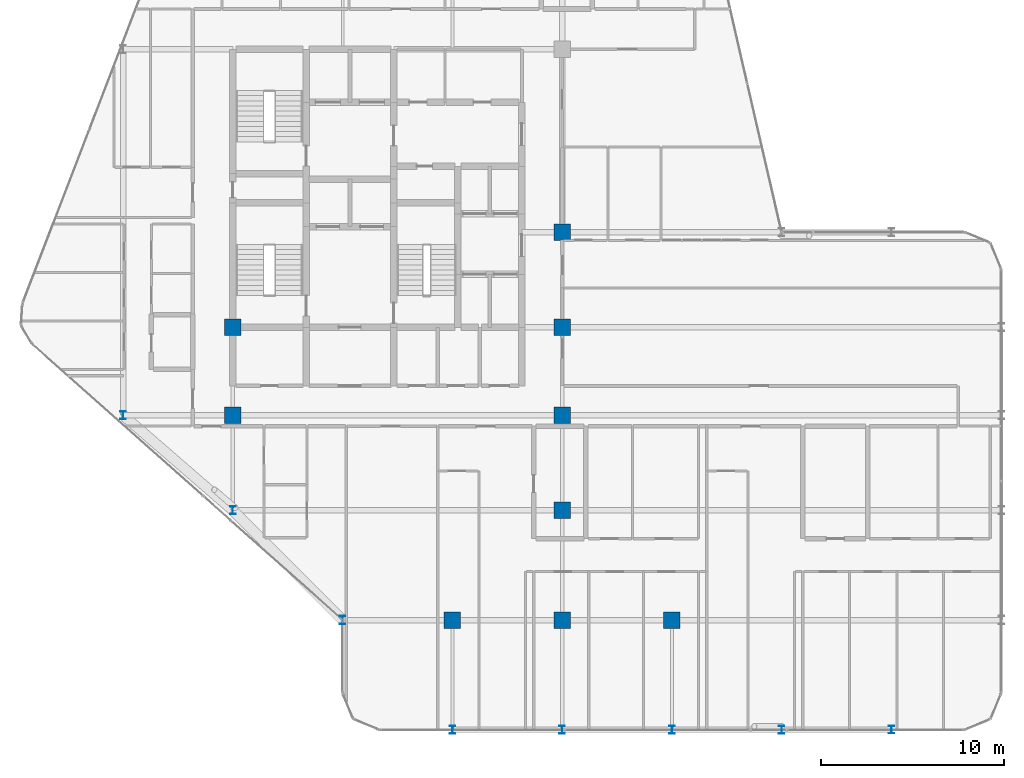
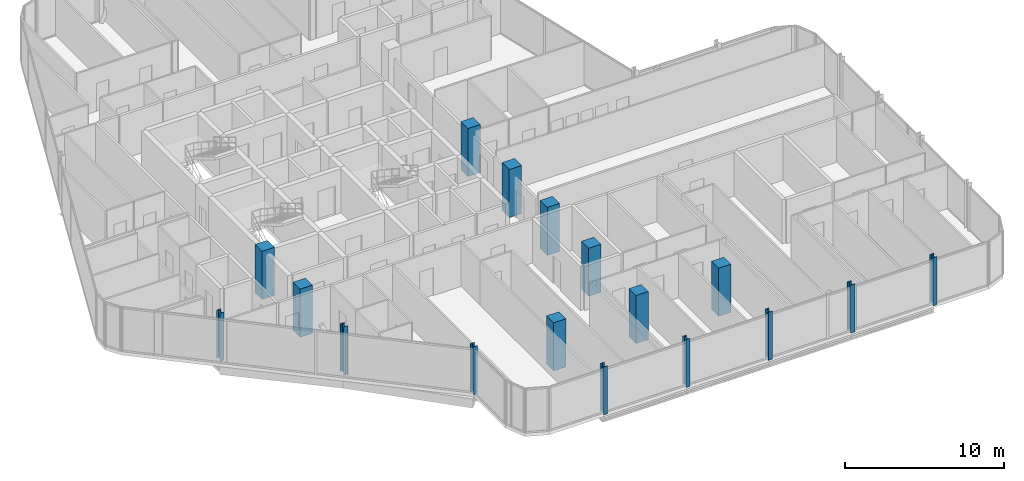
# One storey, part 1 of 29: 17 columns.
"""IFC4 building model written with IfcOpenShell, lengths in metres."""

from ifc_helpers import new_model, si_unit, direction, frame, origin, origin_2d, place, context, subcontext, project, spatial, rectangle, i_section, extrude, material, material_profile, profile_set, type_object, element, save


model = new_model("IFC4")

# Units and contexts
model_context = context("Model", 3, precision=1e-05, world=origin(), true_north=direction((0.0, 1.0)))
body_context = subcontext(model_context, "Body", "Model", "MODEL_VIEW")
ifc_project = project(units=[si_unit("LENGTHUNIT", "METRE"), si_unit("AREAUNIT", "SQUARE_METRE"), si_unit("VOLUMEUNIT", "CUBIC_METRE"), si_unit("PLANEANGLEUNIT", "RADIAN"), si_unit("MASSUNIT", "GRAM", prefix="KILO")], contexts=[model_context])

# Site, building, storey
site_placement = place(None, origin())
site = spatial("IfcSite", under=ifc_project, at=site_placement, CompositionType="ELEMENT")
building_placement = place(site_placement, origin())
building = spatial("IfcBuilding", under=site, at=building_placement, Name="Keshet Zoharim Tower", CompositionType="ELEMENT")
storey_placement = place(building_placement, frame((0.0, 0.0, 192.10009765625)))
storey = spatial("IfcBuildingStorey", under=building, at=storey_placement, Name="L47", CompositionType="ELEMENT", Elevation=192.10009765625)

# Columns
ifc_material_1 = material(Name="Steel S355", Category="steel")
ifc_material_profile_1 = material_profile(ifc_material_1, i_section(OverallWidth=0.300048828125, OverallDepth=0.449951171875, WebThickness=0.013916015625, FlangeThickness=0.02587890625, FilletRadius=0.027099609375, at=origin_2d()), Name="HEB450")
ifc_profile_set_1 = profile_set([ifc_material_profile_1], Name="Steel S355")
column_type_1 = type_object("IfcColumnType", Name="COL-HEB450", PredefinedType="COLUMN", material=ifc_profile_set_1)
for number, where, z_axis, x_axis, name in (
    (1, (9.0, 17.89990234375, 0.0), (0.0, 0.0, 1.0), (1.0, 0.0, 0.0), "L47 Column 2D"),
    (2, (15.0, 12.699951171875, 0.0), (0.0, 0.0, 1.0), (1.0, 0.0, 0.0), "L47 Column 3C"),
    (3, (21.0, 6.699951171875, 0.0), (0.0, 0.0, 1.0), (1.0, 0.0, 0.0), "L47 Column 4B"),
    (4, (27.0, 0.699951171875, 0.0), (0.0, 0.0, 1.0), (1.0, 0.0, 0.0), "L47 Column 5A"),
    (5, (33.0, 0.699951171875, 0.0), (0.0, 0.0, 1.0), (1.0, 0.0, 0.0), "L47 Column 6A"),
    (6, (39.0, 0.699951171875, 0.0), (0.0, 0.0, 1.0), (1.0, 0.0, 0.0), "L47 Column 7A"),
    (7, (45.0, 0.699951171875, 0.0), (0.0, 0.0, 1.0), (1.0, 0.0, 0.0), "L47 Column 8A"),
    (8, (51.0, 0.699951171875, 0.0), (0.0, 0.0, 1.0), (1.0, 0.0, 0.0), "L47 Column 9A"),
):
    element("IfcColumn", number, at=place(storey_placement, frame(where, z_axis=z_axis, x_axis=x_axis)), inside=storey, type_object=column_type_1, Name=name, PredefinedType="COLUMN", context=body_context, shape_type="SweptSolid", body=[
        extrude(i_section(OverallWidth=0.300048828125, OverallDepth=0.449951171875, WebThickness=0.013916015625, FlangeThickness=0.02587890625, FilletRadius=0.027099609375, at=origin_2d()), origin(), (0.0, 0.0, 1.0), 3.699951171875),
    ])
ifc_material_2 = material(Name="Concrete C60/75", Category="concrete")
ifc_material_profile_2 = material_profile(ifc_material_2, rectangle(XDim=0.89990234375, YDim=0.89990234375, at=origin_2d()), Name="RC900x900")
ifc_profile_set_2 = profile_set([ifc_material_profile_2], Name="Concrete C60/75")
column_type_2 = type_object("IfcColumnType", Name="COL-RC900", PredefinedType="COLUMN", material=ifc_profile_set_2)
for number, where, z_axis, x_axis, name in (
    (9, (15.0, 17.89990234375, 0.0), (0.0, 0.0, 1.0), (1.0, 0.0, 0.0), "L47 Column 3D"),
    (10, (15.0, 22.699951171875, 0.0), (0.0, 0.0, 1.0), (1.0, 0.0, 0.0), "L47 Column 3E"),
    (11, (27.0, 6.699951171875, 0.0), (0.0, 0.0, 1.0), (1.0, 0.0, 0.0), "L47 Column 5B"),
    (12, (33.0, 6.699951171875, 0.0), (0.0, 0.0, 1.0), (1.0, 0.0, 0.0), "L47 Column 6B"),
    (13, (33.0, 12.699951171875, 0.0), (0.0, 0.0, 1.0), (1.0, 0.0, 0.0), "L47 Column 6C"),
    (14, (33.0, 17.89990234375, 0.0), (0.0, 0.0, 1.0), (1.0, 0.0, 0.0), "L47 Column 6D"),
    (15, (33.0, 22.699951171875, 0.0), (0.0, 0.0, 1.0), (1.0, 0.0, 0.0), "L47 Column 6E"),
    (16, (33.0, 27.89990234375, 0.0), (0.0, 0.0, 1.0), (1.0, 0.0, 0.0), "L47 Column 6F"),
    (17, (39.0, 6.699951171875, 0.0), (0.0, 0.0, 1.0), (1.0, 0.0, 0.0), "L47 Column 7B"),
):
    element("IfcColumn", number, at=place(storey_placement, frame(where, z_axis=z_axis, x_axis=x_axis)), inside=storey, type_object=column_type_2, Name=name, PredefinedType="COLUMN", context=body_context, shape_type="SweptSolid", body=[
        extrude(rectangle(XDim=0.89990234375, YDim=0.89990234375, at=origin_2d()), origin(), (0.0, 0.0, 1.0), 3.699951171875),
    ])

save(model, "model.ifc")
